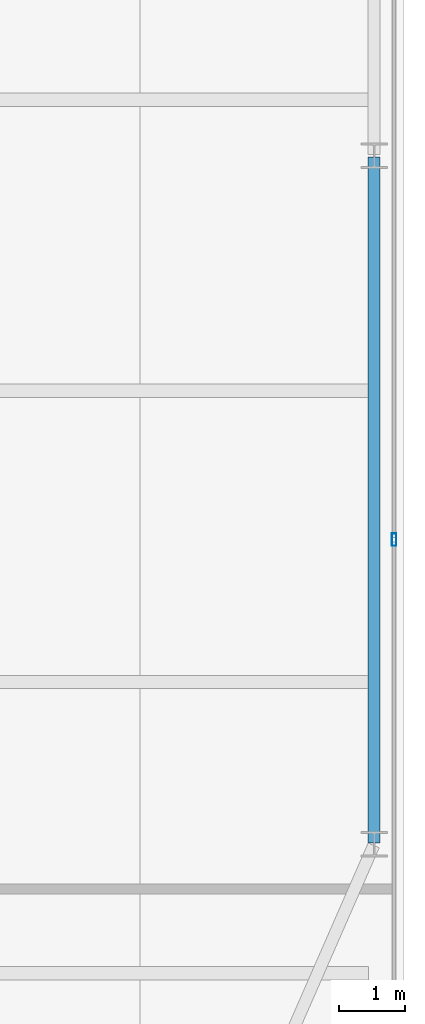
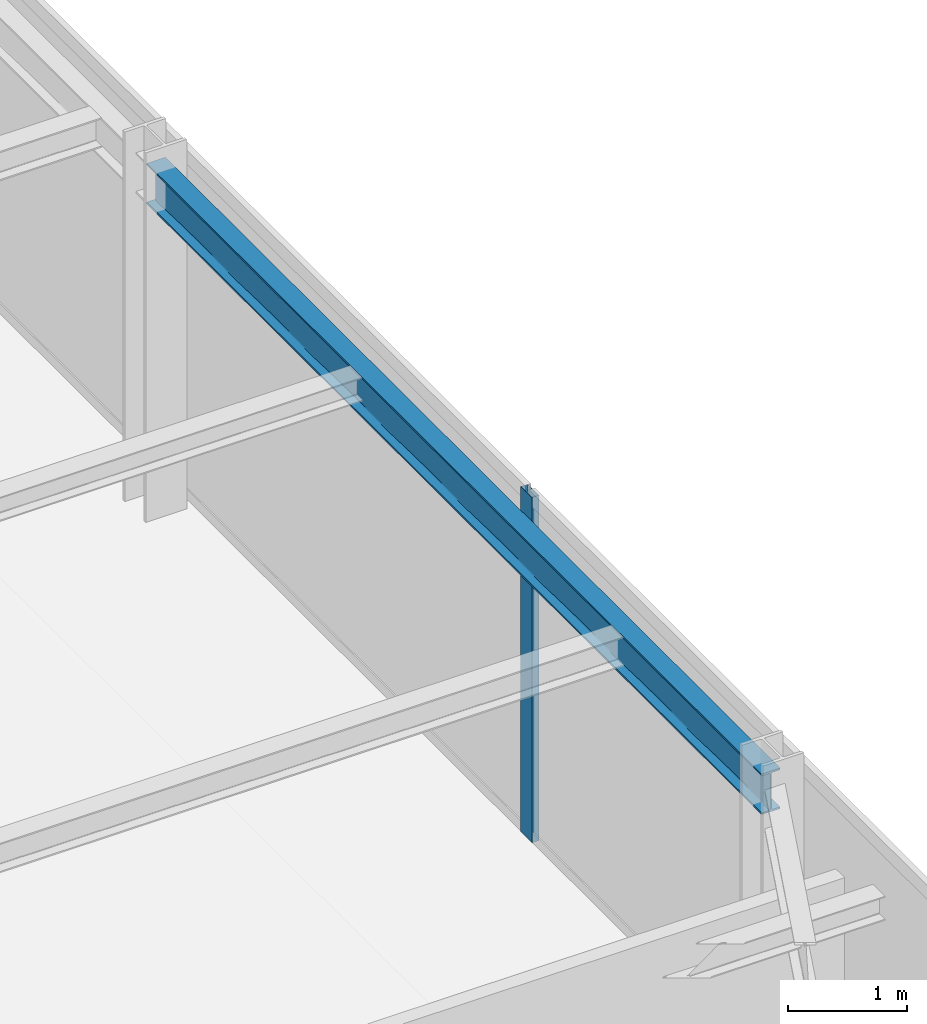
# One storey, part 18 of 32: 1 beam, 1 member, 1 element without a shape of its own.
"""IFC4 building model written with IfcOpenShell, lengths in metres."""

from ifc_helpers import new_model, si_unit, direction, frame, origin, origin_2d, place, context, subcontext, project, spatial, hollow_rectangle, i_section, extrude, source, transform, mapped, material, layer, layer_set, material_profile, profile_set, type_object, type_shapes, element, aggregate, save


model = new_model("IFC4")

# Units and contexts
model_context = context("Model", 3, precision=1e-05, world=origin(), true_north=direction((0.0, 1.0)))
body_context = subcontext(model_context, "Body", "Model", "MODEL_VIEW")
ifc_project = project(units=[si_unit("LENGTHUNIT", "METRE"), si_unit("AREAUNIT", "SQUARE_METRE"), si_unit("VOLUMEUNIT", "CUBIC_METRE"), si_unit("PLANEANGLEUNIT", "RADIAN"), si_unit("MASSUNIT", "GRAM", prefix="KILO")], contexts=[model_context])

# Site, building, storey
site_placement = place(None, origin())
site = spatial("IfcSite", under=ifc_project, at=site_placement, CompositionType="ELEMENT")
building_placement = place(site_placement, origin())
building = spatial("IfcBuilding", under=site, at=building_placement, Name="Varnel Quay Broadcast Tower", CompositionType="ELEMENT")
storey_placement = place(building_placement, frame((0.0, 0.0, 133.39990234375)))
storey = spatial("IfcBuildingStorey", under=building, at=storey_placement, Name="L32", CompositionType="ELEMENT", Elevation=133.39990234375)

# Beam
ifc_material_1 = material(Name="Structural Steel CSA G40.21 350W", Category="steel")
ifc_material_profile_1 = material_profile(ifc_material_1, i_section(OverallWidth=0.180908203125, OverallDepth=0.4169921875, WebThickness=0.010986328125, FlangeThickness=0.018310546875, FilletRadius=0.011962890625, at=origin_2d()), Name="W410X85")
ifc_profile_set_1 = profile_set([ifc_material_profile_1], Name="Structural Steel CSA G40.21 350W")
beam_type = type_object("IfcBeamType", Name="Beam_W410X85", PredefinedType="SPANDREL", material=ifc_profile_set_1)
shared_shape_1 = source(origin(), body_context, "Body", "SweptSolid", [
    extrude(i_section(OverallWidth=0.180908203125, OverallDepth=0.4169921875, WebThickness=0.010986328125, FlangeThickness=0.018310546875, FilletRadius=0.011962890625, at=origin_2d()), origin(), (0.0, 0.0, 1.0), 10.35986328125),
])
type_shapes(beam_type, [shared_shape_1])
beam_placement = place(storey_placement, frame((63.050048828125, 15.02001953125, 3.341552734375), z_axis=(0.0, 1.0, 0.0), x_axis=(-1.0, 0.0, 0.0)))
element("IfcBeam", 1, at=beam_placement, inside=storey, type_object=beam_type, Name="L32 East Spandrel TC-E1-TC-E2", PredefinedType="SPANDREL", context=body_context, shape_type="MappedRepresentation", body=[
    mapped(shared_shape_1, transform((0.0, 0.0, 0.0), x_axis=(1.0, 0.0, 0.0), y_axis=(0.0, 1.0, 0.0), z_axis=(0.0, 0.0, 1.0), scale=1.0)),
])

# Curtain wall, member
ifc_material_2 = material(Name="Anodised Bronze Aluminium 6063-T6", Category="aluminium")
ifc_layer = layer(ifc_material_2, 0.18994140625, Name="Anodised Bronze Aluminium 6063-T6")
ifc_layer_set = layer_set([ifc_layer], Name="Anodised Bronze Aluminium 6063-T6")
curtain_wall_type = type_object("IfcCurtainWallType", Name="CW_LowerTower", PredefinedType="NOTDEFINED", material=ifc_layer_set)
curtain_wall_placement = place(storey_placement, origin())
curtain_wall = element("IfcCurtainWall", 2, at=curtain_wall_placement, inside=storey, type_object=curtain_wall_type, Name="L32 East Unitised Curtain Wall", PredefinedType="NOTDEFINED")
ifc_material_profile_2 = material_profile(ifc_material_2, hollow_rectangle(XDim=0.070068359375, YDim=0.18994140625, WallThickness=0.00390625, at=origin_2d()), Name="ALU70X190X4")
ifc_profile_set_2 = profile_set([ifc_material_profile_2], Name="Anodised Bronze Aluminium 6063-T6")
member_type = type_object("IfcMemberType", Name="Mull_CWS-02", PredefinedType="MULLION", material=ifc_profile_set_2)
shared_shape_2 = source(origin(), body_context, "Body", "SweptSolid", [
    extrude(hollow_rectangle(XDim=0.070068359375, YDim=0.18994140625, WallThickness=0.00390625, at=origin_2d()), origin(), (0.0, 0.0, 1.0), 3.550048828125),
])
type_shapes(member_type, [shared_shape_2])
member_placement = place(storey_placement, frame((63.35009765625, 19.60009765625, 0.0), z_axis=(0.0, 0.0, 1.0), x_axis=(-1.0, 0.0, 0.0)))
member = element("IfcMember", 3, at=member_placement, type_object=member_type, Name="CWS-02 mullion 2", PredefinedType="MULLION", context=body_context, shape_type="MappedRepresentation", body=[
    mapped(shared_shape_2, transform((0.0, 0.0, 0.0), x_axis=(1.0, 0.0, 0.0), y_axis=(0.0, 1.0, 0.0), z_axis=(0.0, 0.0, 1.0), scale=1.0)),
])
aggregate(curtain_wall, [member])

save(model, "model.ifc")
